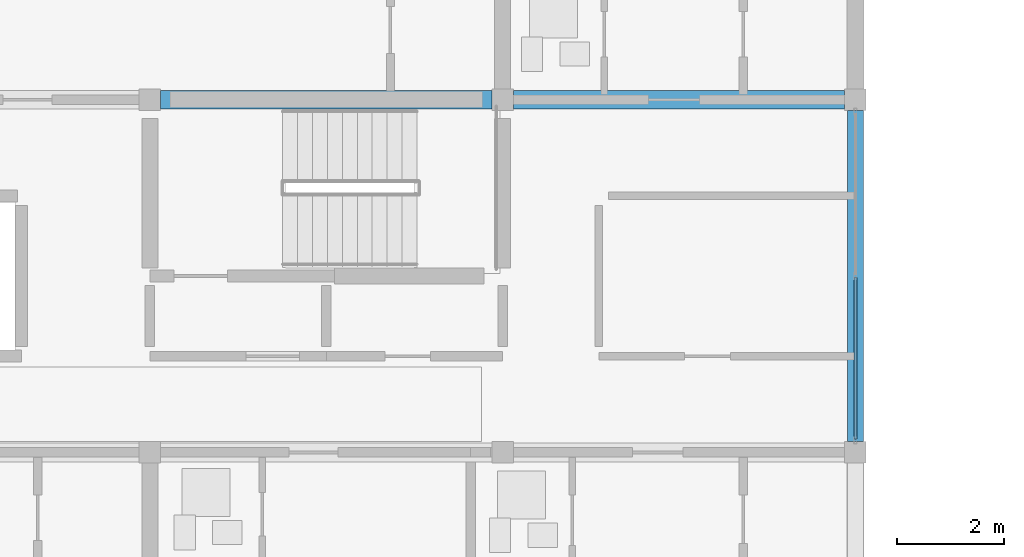
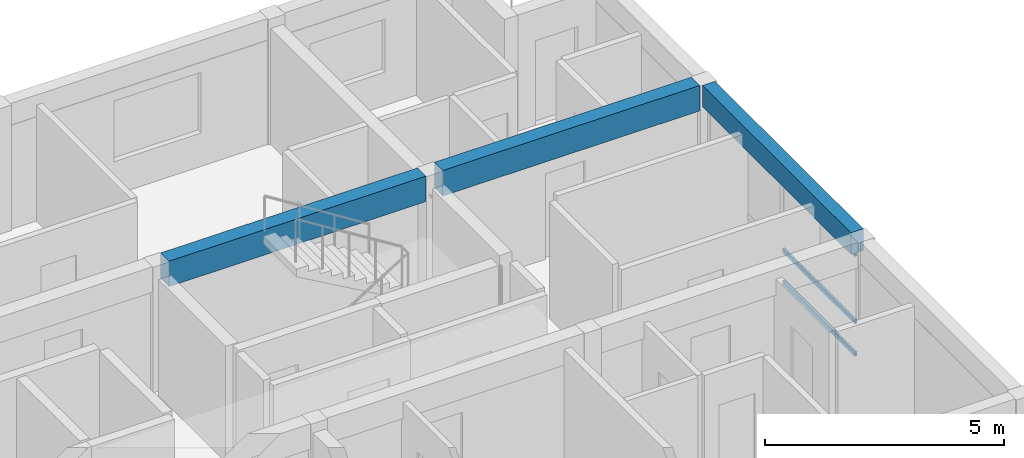
# One storey, part 9 of 53: 3 beams, 3 members, 1 element without a shape of its own.
"""IFC4 building model written with IfcOpenShell, lengths in metres."""

from ifc_helpers import new_model, si_unit, direction, frame, origin, origin_2d, place, context, subcontext, project, spatial, rectangle, hollow_rectangle, extrude, material, material_profile, profile_set, type_object, element, aggregate, save


model = new_model("IFC4")

# Units and contexts
model_context = context("Model", 3, precision=1e-05, world=origin(), true_north=direction((0.0, 1.0)))
body_context = subcontext(model_context, "Body", "Model", "MODEL_VIEW")
ifc_project = project(units=[si_unit("LENGTHUNIT", "METRE"), si_unit("AREAUNIT", "SQUARE_METRE"), si_unit("VOLUMEUNIT", "CUBIC_METRE"), si_unit("PLANEANGLEUNIT", "RADIAN"), si_unit("MASSUNIT", "GRAM", prefix="KILO")], contexts=[model_context])

# Site, building, storey
site_placement = place(None, origin())
site = spatial("IfcSite", under=ifc_project, at=site_placement, CompositionType="ELEMENT")
building_placement = place(site_placement, origin())
building = spatial("IfcBuilding", under=site, at=building_placement, Name="Kernevlak Ridge Housing Community", CompositionType="ELEMENT")
storey_placement = place(building_placement, frame((0.0, 0.0, 18.0)))
storey = spatial("IfcBuildingStorey", under=building, at=storey_placement, Name="L05", CompositionType="ELEMENT", Elevation=18.0)

# Beams
ifc_material_1 = material(Name="Concrete C35/45", Category="concrete")
ifc_material_profile_1 = material_profile(ifc_material_1, rectangle(XDim=0.35009765625, YDim=0.64990234375, at=origin_2d()), Name="RC 350x650")
ifc_profile_set_1 = profile_set([ifc_material_profile_1], Name="Concrete C35/45")
beam_type_1 = type_object("IfcBeamType", Name="B-02", PredefinedType="BEAM", material=ifc_profile_set_1)
for number, where, z_axis, x_axis, name in (
    (1, (29.0, 28.800048828125, 2.875), (1.0, 0.0, 0.0), (0.0, 1.0, 0.0), "Beam B-02 L05 1442"),
    (2, (35.60009765625, 28.800048828125, 2.875), (1.0, 0.0, 0.0), (0.0, 1.0, 0.0), "Beam B-02 L05 1443"),
):
    element("IfcBeam", number, at=place(storey_placement, frame(where, z_axis=z_axis, x_axis=x_axis)), inside=storey, type_object=beam_type_1, Name=name, PredefinedType="BEAM", context=body_context, shape_type="SweptSolid", body=[
        extrude(rectangle(XDim=0.35009765625, YDim=0.64990234375, at=origin_2d()), origin(), (0.0, 0.0, 1.0), 6.199951171875),
    ])
ifc_material_profile_2 = material_profile(ifc_material_1, rectangle(XDim=0.300048828125, YDim=0.550048828125, at=origin_2d()), Name="RC 300x550")
ifc_profile_set_2 = profile_set([ifc_material_profile_2], Name="Concrete C35/45")
beam_type_2 = type_object("IfcBeamType", Name="SP-01", PredefinedType="SPANDREL", material=ifc_profile_set_2)
beam_placement = place(storey_placement, frame((42.0, 22.39990234375, 2.925048828125), z_axis=(0.0, 1.0, 0.0), x_axis=(-1.0, 0.0, 0.0)))
element("IfcBeam", 3, at=beam_placement, inside=storey, type_object=beam_type_2, Name="Beam SP-01 L05 1452", PredefinedType="SPANDREL", context=body_context, shape_type="SweptSolid", body=[
    extrude(rectangle(XDim=0.300048828125, YDim=0.550048828125, at=origin_2d()), origin(), (0.0, 0.0, 1.0), 6.2001953125),
])

# Curtain wall, members
ifc_material_2 = material(Name="Aluminium EN AW-6060 anodised and laminated glass", Category="aluminium")
curtain_wall_type = type_object("IfcCurtainWallType", Name="CW-03", PredefinedType="NOTDEFINED", material=ifc_material_2)
curtain_wall_placement = place(storey_placement, origin())
curtain_wall = element("IfcCurtainWall", 4, at=curtain_wall_placement, inside=storey, type_object=curtain_wall_type, Name="Curtain wall CW-03 CW-L05-156", PredefinedType="NOTDEFINED")
ifc_material_3 = material(Name="Aluminium EN AW-6060 anodised", Category="aluminium")
ifc_material_profile_3 = material_profile(ifc_material_3, hollow_rectangle(XDim=0.054931640625, YDim=0.110107421875, WallThickness=0.00390625, InnerFilletRadius=0.001953125, OuterFilletRadius=0.00390625, at=origin_2d()), Name="ALU 55x110x4")
ifc_profile_set_3 = profile_set([ifc_material_profile_3], Name="Aluminium EN AW-6060 anodised")
member_type = type_object("IfcMemberType", Name="TM-01", PredefinedType="USERDEFINED", material=ifc_profile_set_3)
member_1_placement = place(storey_placement, frame((42.0, 22.455078125, 0.027587890625), z_axis=(0.0, 1.0, 0.0), x_axis=(-1.0, 0.0, 0.0)))
member_1 = element("IfcMember", 5, at=member_1_placement, type_object=member_type, Name="CW-03 transom 1.1", ObjectType="TRANSOM", PredefinedType="USERDEFINED", context=body_context, shape_type="SweptSolid", body=[
    extrude(hollow_rectangle(XDim=0.054931640625, YDim=0.110107421875, WallThickness=0.00390625, InnerFilletRadius=0.001953125, OuterFilletRadius=0.00390625, at=origin_2d()), origin(), (0.0, 0.0, 1.0), 3.017333984375),
])
member_2_placement = place(storey_placement, frame((42.0, 22.455078125, 0.85009765625), z_axis=(0.0, 1.0, 0.0), x_axis=(-1.0, 0.0, 0.0)))
member_2 = element("IfcMember", 6, at=member_2_placement, type_object=member_type, Name="CW-03 transom 1.2", ObjectType="TRANSOM", PredefinedType="USERDEFINED", context=body_context, shape_type="SweptSolid", body=[
    extrude(hollow_rectangle(XDim=0.054931640625, YDim=0.110107421875, WallThickness=0.00390625, InnerFilletRadius=0.001953125, OuterFilletRadius=0.00390625, at=origin_2d()), origin(), (0.0, 0.0, 1.0), 3.017333984375),
])
member_3_placement = place(storey_placement, frame((42.0, 22.455078125, 2.572509765625), z_axis=(0.0, 1.0, 0.0), x_axis=(-1.0, 0.0, 0.0)))
member_3 = element("IfcMember", 7, at=member_3_placement, type_object=member_type, Name="CW-03 transom 1.3", ObjectType="TRANSOM", PredefinedType="USERDEFINED", context=body_context, shape_type="SweptSolid", body=[
    extrude(hollow_rectangle(XDim=0.054931640625, YDim=0.110107421875, WallThickness=0.00390625, InnerFilletRadius=0.001953125, OuterFilletRadius=0.00390625, at=origin_2d()), origin(), (0.0, 0.0, 1.0), 3.017333984375),
])
aggregate(curtain_wall, [member_1, member_2, member_3])

save(model, "model.ifc")
